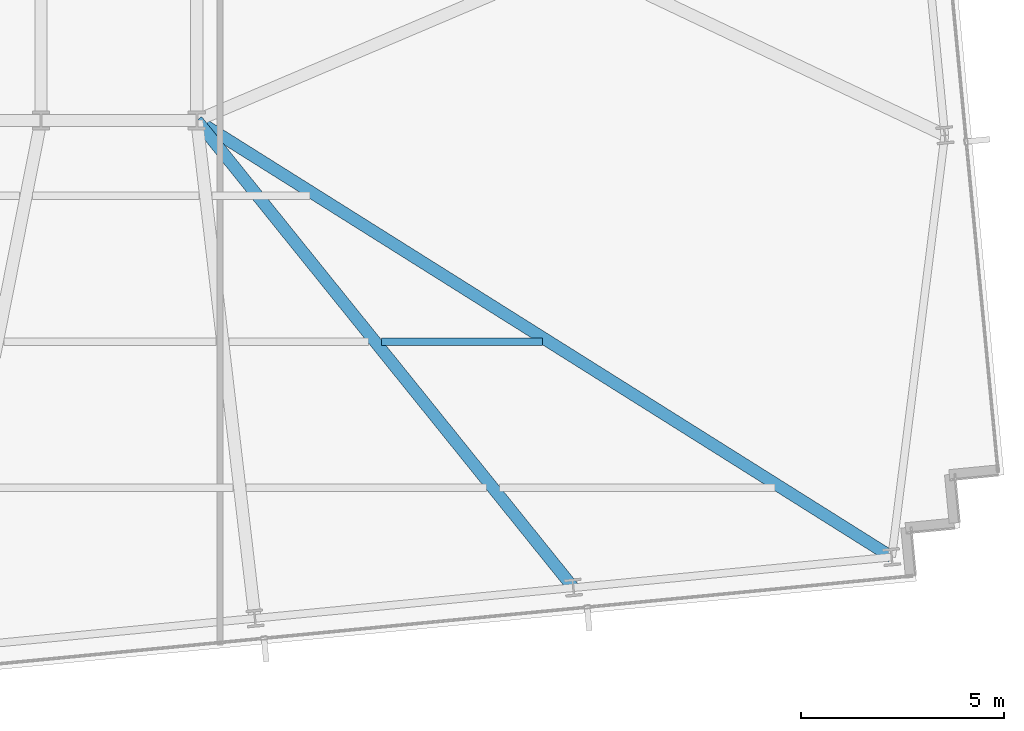
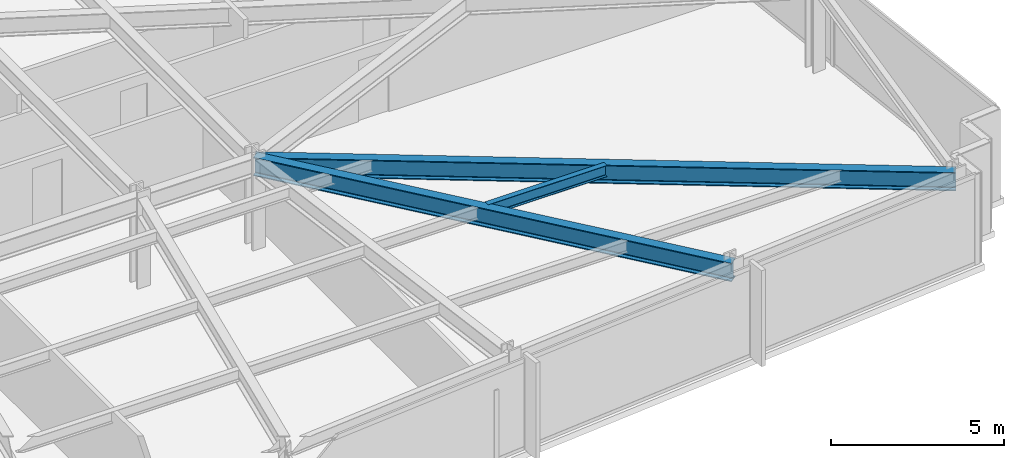
# One storey, part 13 of 32: 3 beams.
"""IFC4 building model written with IfcOpenShell, lengths in metres."""

from ifc_helpers import new_model, si_unit, direction, frame, origin, origin_2d, place, context, subcontext, project, spatial, i_section, extrude, material, material_profile, profile_set, type_object, element, save


model = new_model("IFC4")

# Units and contexts
model_context = context("Model", 3, precision=1e-05, world=origin(), true_north=direction((0.0, 1.0)))
body_context = subcontext(model_context, "Body", "Model", "MODEL_VIEW")
ifc_project = project(units=[si_unit("LENGTHUNIT", "METRE"), si_unit("AREAUNIT", "SQUARE_METRE"), si_unit("VOLUMEUNIT", "CUBIC_METRE"), si_unit("PLANEANGLEUNIT", "RADIAN"), si_unit("MASSUNIT", "GRAM", prefix="KILO")], contexts=[model_context])

# Site, building, storey
site_placement = place(None, origin())
site = spatial("IfcSite", under=ifc_project, at=site_placement, CompositionType="ELEMENT")
building_placement = place(site_placement, origin())
building = spatial("IfcBuilding", under=site, at=building_placement, Name="Yelkora Congress Tower", CompositionType="ELEMENT")
storey_placement = place(building_placement, frame((0.0, 0.0, 120.300048828125)))
storey = spatial("IfcBuildingStorey", under=building, at=storey_placement, Name="L32", CompositionType="ELEMENT", Elevation=120.300048828125)

# Beams
ifc_material = material(Name="Steel S355J2", Category="steel")
ifc_material_profile_1 = material_profile(ifc_material, i_section(OverallWidth=0.300048828125, OverallDepth=0.64990234375, WebThickness=0.01611328125, FlangeThickness=0.031005859375, FilletRadius=0.027099609375, at=origin_2d()), Name="HEB 650")
ifc_profile_set_1 = profile_set([ifc_material_profile_1], Name="Steel S355J2")
beam_type_1 = type_object("IfcBeamType", Name="BM-GIRD-HEB650", PredefinedType="BEAM", material=ifc_profile_set_1)
beam_1_placement = place(storey_placement, frame((66.882568359375, 13.67919921875, 2.85498046875), z_axis=(-0.627405981031, 0.778692323686, 0.0), x_axis=(-0.778692323686, -0.627405981031, 0.0)))
element("IfcBeam", 1, at=beam_1_placement, inside=storey, type_object=beam_type_1, Name="L32 Primary Frame Girder S07", PredefinedType="BEAM", context=body_context, shape_type="SweptSolid", body=[
    extrude(i_section(OverallWidth=0.300048828125, OverallDepth=0.64990234375, WebThickness=0.01611328125, FlangeThickness=0.031005859375, FilletRadius=0.027099609375, at=origin_2d()), origin(), (0.0, 0.0, 1.0), 14.794921875),
])
beam_2_placement = place(storey_placement, frame((74.73193359375, 14.43505859375, 2.85498046875), z_axis=(-0.846718708798, 0.532040814385, 0.0), x_axis=(-0.532040814385, -0.846718708798, 0.0)))
element("IfcBeam", 2, at=beam_2_placement, inside=storey, type_object=beam_type_1, Name="L32 Primary Frame Girder S08", PredefinedType="BEAM", context=body_context, shape_type="SweptSolid", body=[
    extrude(i_section(OverallWidth=0.300048828125, OverallDepth=0.64990234375, WebThickness=0.01611328125, FlangeThickness=0.031005859375, FilletRadius=0.027099609375, at=origin_2d()), origin(), (0.0, 0.0, 1.0), 20.233154296875),
])
ifc_material_profile_2 = material_profile(ifc_material, i_section(OverallWidth=0.179931640625, OverallDepth=0.39990234375, WebThickness=0.008544921875, FlangeThickness=0.013427734375, FilletRadius=0.02099609375, at=origin_2d()), Name="IPE 400")
ifc_profile_set_2 = profile_set([ifc_material_profile_2], Name="Steel S355J2")
beam_type_2 = type_object("IfcBeamType", Name="BM-JOIST-IPE400", PredefinedType="JOIST", material=ifc_profile_set_2)
beam_3_placement = place(storey_placement, frame((62.15576171875, 19.744384765625, 2.97998046875), z_axis=(1.0, 0.0, 0.0), x_axis=(0.0, 1.0, 0.0)))
element("IfcBeam", 3, at=beam_3_placement, inside=storey, type_object=beam_type_2, Name="L32 Composite Floor Joist 17", PredefinedType="JOIST", context=body_context, shape_type="SweptSolid", body=[
    extrude(i_section(OverallWidth=0.179931640625, OverallDepth=0.39990234375, WebThickness=0.008544921875, FlangeThickness=0.013427734375, FilletRadius=0.02099609375, at=origin_2d()), origin(), (0.0, 0.0, 1.0), 3.966552734375),
])

save(model, "model.ifc")
